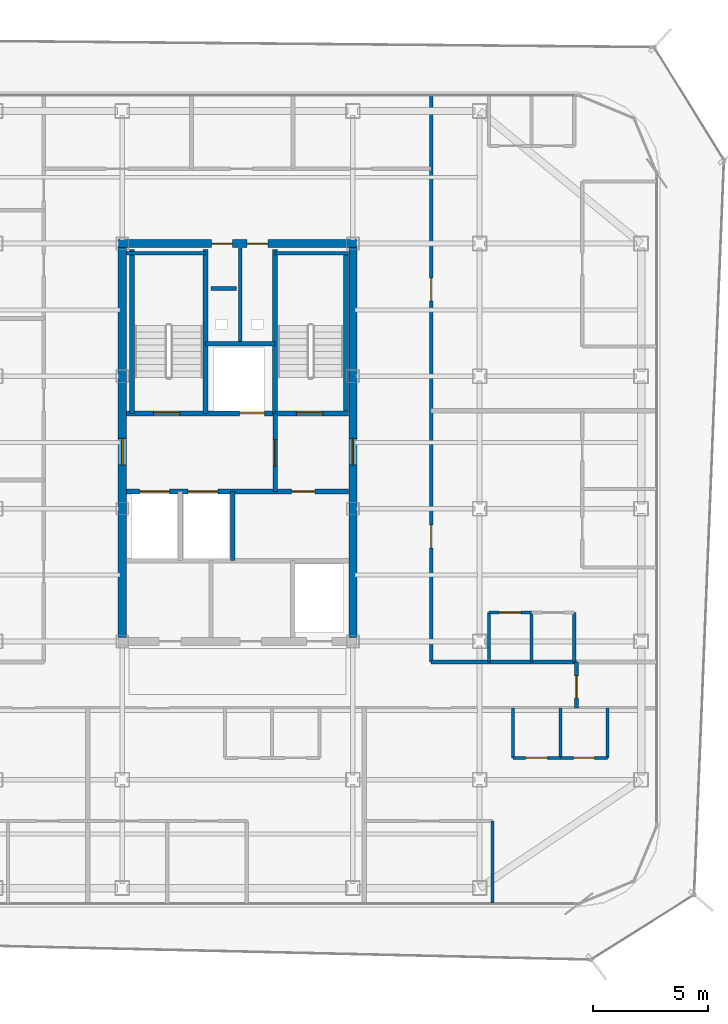
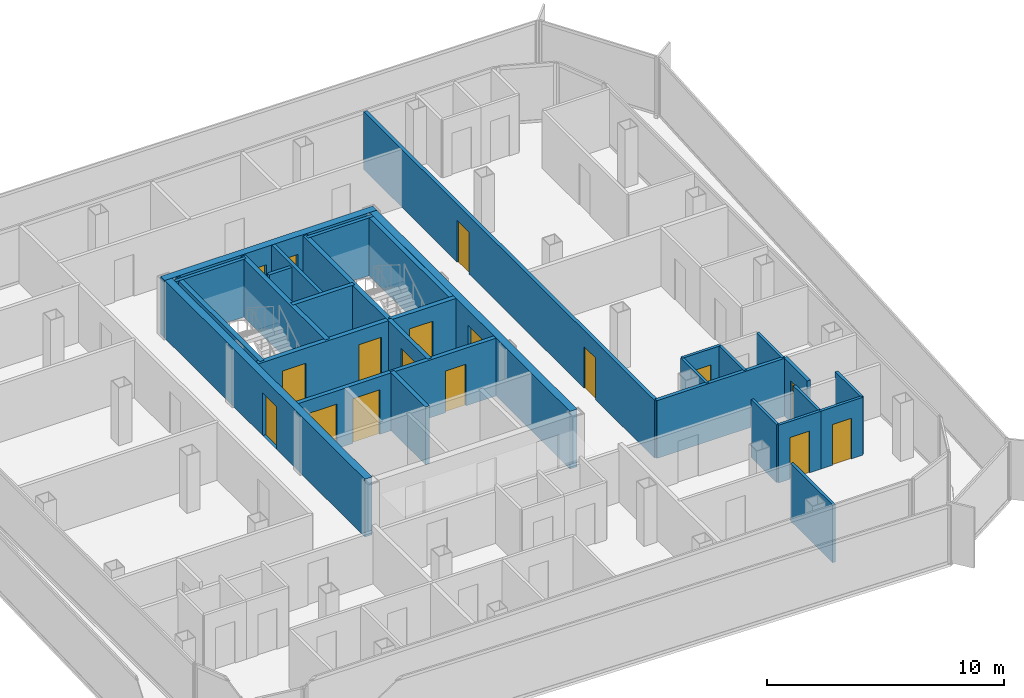
# One storey, part 11 of 15: 30 walls, 17 doors, 17 openings.
"""IFC4 building model written with IfcOpenShell, lengths in metres."""

from ifc_helpers import new_model, si_unit, direction, frame, frame_2d, origin, place, context, subcontext, project, spatial, rectangle, extrude, material, layer, layer_set, type_object, element, fill, save


model = new_model("IFC4")

# Units and contexts
model_context = context("Model", 3, precision=1e-05, world=origin(), true_north=direction((0.0, 1.0)))
body_context = subcontext(model_context, "Body", "Model", "MODEL_VIEW")
ifc_project = project(units=[si_unit("LENGTHUNIT", "METRE"), si_unit("AREAUNIT", "SQUARE_METRE"), si_unit("VOLUMEUNIT", "CUBIC_METRE"), si_unit("PLANEANGLEUNIT", "RADIAN"), si_unit("MASSUNIT", "GRAM", prefix="KILO")], contexts=[model_context])

# Site, building, storey
site_placement = place(None, origin())
site = spatial("IfcSite", under=ifc_project, at=site_placement, CompositionType="ELEMENT")
building_placement = place(site_placement, origin())
building = spatial("IfcBuilding", under=site, at=building_placement, Name="Kolveth Station Tower", CompositionType="ELEMENT")
storey_placement = place(building_placement, frame((0.0, 0.0, 255.300048828125)))
storey = spatial("IfcBuildingStorey", under=building, at=storey_placement, Name="L73", CompositionType="ELEMENT", Elevation=255.300048828125)

# Wall, openings, doors
ifc_material_1 = material(Name="Concrete C50/60", Category="concrete")
ifc_layer_1 = layer(ifc_material_1, 0.35009765625)
ifc_layer_set_1 = layer_set([ifc_layer_1], Name="Concrete C50/60")
wall_type_1 = type_object("IfcWallType", Name="Wall_CW-350", PredefinedType="SHEAR", material=ifc_layer_set_1)
wall_1_placement = place(storey_placement, frame((18.324951171875, 28.75, 0.0), z_axis=(0.0, 0.0, 1.0), x_axis=(1.0, 0.0, 0.0)))
wall_1 = element("IfcWall", 1, at=wall_1_placement, inside=storey, type_object=wall_type_1, Name="L73 Core RC Shear Wall N", PredefinedType="SHEAR", context=body_context, shape_type="SweptSolid", body=[
    extrude(rectangle(XDim=10.35009765625, YDim=0.35009765625, at=frame_2d((5.175048828125, 0.0))), origin(), (0.0, 0.0, 1.0), 2.97998046875),
])
opening_1_placement = place(wall_1_placement, frame((4.054931640625, 0.0, 0.0)))
opening_1 = element("IfcOpeningElement", 2, at=opening_1_placement, cuts=wall_1, Name="Opening RD1", PredefinedType="OPENING", context=body_context, shape_type="SweptSolid", body=[
    extrude(rectangle(XDim=0.89990234375, YDim=2.050048828125, at=frame_2d((0.449951171875, 1.02490234375))), frame((0.0, 0.18505859375, 0.0), z_axis=(0.0, -1.0, 0.0), x_axis=(1.0, 0.0, 0.0)), (0.0, 0.0, 1.0), 0.3701171875),
])
opening_2_placement = place(wall_1_placement, frame((5.594970703125, 0.0, 0.0)))
opening_2 = element("IfcOpeningElement", 3, at=opening_2_placement, cuts=wall_1, Name="Opening RD1", PredefinedType="OPENING", context=body_context, shape_type="SweptSolid", body=[
    extrude(rectangle(XDim=0.89990234375, YDim=2.050048828125, at=frame_2d((0.449951171875, 1.02490234375))), frame((0.0, 0.18505859375, 0.0), z_axis=(0.0, -1.0, 0.0), x_axis=(1.0, 0.0, 0.0)), (0.0, 0.0, 1.0), 0.3701171875),
])
ifc_material_2 = material(Name="Fire-rated Steel S355 riser access leaf", Category="steel")
door_type_1 = type_object("IfcDoorType", Name="Door_RD1", OperationType="NOTDEFINED", PredefinedType="DOOR", material=ifc_material_2)
door_1_placement = place(opening_1_placement, origin())
door_1 = element("IfcDoor", 4, at=door_1_placement, inside=storey, type_object=door_type_1, Name="L73 Electrical Riser Access Door", OperationType="SINGLE_SWING_LEFT", OverallHeight=2.050048828125, OverallWidth=0.89990234375, PredefinedType="DOOR", context=body_context, shape_type="SweptSolid", body=[
    extrude(rectangle(XDim=0.89990234375, YDim=2.050048828125, at=frame_2d((0.449951171875, 1.02490234375))), frame((0.0, 0.02490234375, 0.0), z_axis=(0.0, -1.0, 0.0), x_axis=(1.0, 0.0, 0.0)), (0.0, 0.0, 1.0), 0.050048828125),
])
fill(opening_1, door_1)
door_2_placement = place(opening_2_placement, origin())
door_2 = element("IfcDoor", 5, at=door_2_placement, inside=storey, type_object=door_type_1, Name="L73 Smoke Duct Access Door", OperationType="SINGLE_SWING_LEFT", OverallHeight=2.050048828125, OverallWidth=0.89990234375, PredefinedType="DOOR", context=body_context, shape_type="SweptSolid", body=[
    extrude(rectangle(XDim=0.89990234375, YDim=2.050048828125, at=frame_2d((0.449951171875, 1.02490234375))), frame((0.0, 0.02490234375, 0.0), z_axis=(0.0, -1.0, 0.0), x_axis=(1.0, 0.0, 0.0)), (0.0, 0.0, 1.0), 0.050048828125),
])
fill(opening_2, door_2)

# Wall, opening, door
wall_2_placement = place(storey_placement, frame((18.5, 11.675048828125, 0.0), z_axis=(0.0, 0.0, 1.0), x_axis=(0.0, 1.0, 0.0)))
wall_2 = element("IfcWall", 6, at=wall_2_placement, inside=storey, type_object=wall_type_1, Name="L73 Core RC Shear Wall W", PredefinedType="SHEAR", context=body_context, shape_type="SweptSolid", body=[
    extrude(rectangle(XDim=16.89990234375, YDim=0.35009765625, at=frame_2d((8.449951171875, 0.0))), origin(), (0.0, 0.0, 1.0), 2.97998046875),
])
opening_3_placement = place(wall_2_placement, frame((7.47509765625, 0.0, 0.0)))
opening_3 = element("IfcOpeningElement", 7, at=opening_3_placement, cuts=wall_2, Name="Opening FD1", PredefinedType="OPENING", context=body_context, shape_type="SweptSolid", body=[
    extrude(rectangle(XDim=1.14990234375, YDim=2.199951171875, at=frame_2d((0.574951171875, 1.10009765625))), frame((0.0, 0.18505859375, 0.0), z_axis=(0.0, -1.0, 0.0), x_axis=(1.0, 0.0, 0.0)), (0.0, 0.0, 1.0), 0.3701171875),
])
ifc_material_3 = material(Name="Fire-rated Steel S355 leaf and frame", Category="steel")
door_type_2 = type_object("IfcDoorType", Name="Door_FD1", OperationType="NOTDEFINED", PredefinedType="DOOR", material=ifc_material_3)
door_3_placement = place(opening_3_placement, frame((1.14990234375, 0.0, 0.0), z_axis=(0.0, 0.0, 1.0), x_axis=(-1.0, 0.0, 0.0)))
door_3 = element("IfcDoor", 8, at=door_3_placement, inside=storey, type_object=door_type_2, Name="L73 West Corridor to Firefighting Lobby Door", OperationType="SINGLE_SWING_RIGHT", OverallHeight=2.199951171875, OverallWidth=1.14990234375, PredefinedType="DOOR", context=body_context, shape_type="SweptSolid", body=[
    extrude(rectangle(XDim=1.14990234375, YDim=2.199951171875, at=frame_2d((0.574951171875, 1.10009765625))), frame((0.0, 0.02490234375, 0.0), z_axis=(0.0, -1.0, 0.0), x_axis=(1.0, 0.0, 0.0)), (0.0, 0.0, 1.0), 0.050048828125),
])
fill(opening_3, door_3)

wall_3_placement = place(storey_placement, frame((28.5, 11.675048828125, 0.0), z_axis=(0.0, 0.0, 1.0), x_axis=(0.0, 1.0, 0.0)))
wall_3 = element("IfcWall", 9, at=wall_3_placement, inside=storey, type_object=wall_type_1, Name="L73 Core RC Shear Wall E", PredefinedType="SHEAR", context=body_context, shape_type="SweptSolid", body=[
    extrude(rectangle(XDim=16.89990234375, YDim=0.35009765625, at=frame_2d((8.449951171875, 0.0))), origin(), (0.0, 0.0, 1.0), 2.97998046875),
])
opening_4_placement = place(wall_3_placement, frame((7.47509765625, 0.0, 0.0)))
opening_4 = element("IfcOpeningElement", 10, at=opening_4_placement, cuts=wall_3, Name="Opening FD1", PredefinedType="OPENING", context=body_context, shape_type="SweptSolid", body=[
    extrude(rectangle(XDim=1.14990234375, YDim=2.199951171875, at=frame_2d((0.574951171875, 1.10009765625))), frame((0.0, 0.18505859375, 0.0), z_axis=(0.0, -1.0, 0.0), x_axis=(1.0, 0.0, 0.0)), (0.0, 0.0, 1.0), 0.3701171875),
])
door_4_placement = place(opening_4_placement, origin())
door_4 = element("IfcDoor", 11, at=door_4_placement, inside=storey, type_object=door_type_2, Name="L73 East Corridor to Stair Lobby Door", OperationType="SINGLE_SWING_LEFT", OverallHeight=2.199951171875, OverallWidth=1.14990234375, PredefinedType="DOOR", context=body_context, shape_type="SweptSolid", body=[
    extrude(rectangle(XDim=1.14990234375, YDim=2.199951171875, at=frame_2d((0.574951171875, 1.10009765625))), frame((0.0, 0.02490234375, 0.0), z_axis=(0.0, -1.0, 0.0), x_axis=(1.0, 0.0, 0.0)), (0.0, 0.0, 1.0), 0.050048828125),
])
fill(opening_4, door_4)

ifc_material_4 = material(Name="Moisture-resistant gypsum partition")
ifc_layer_2 = layer(ifc_material_4, 0.135009765625)
ifc_layer_set_2 = layer_set([ifc_layer_2], Name="Moisture-resistant gypsum partition")
wall_type_2 = type_object("IfcWallType", Name="Wall_IW-135", PredefinedType="PARTITIONING", material=ifc_layer_set_2)
wall_4_placement = place(storey_placement, frame((35.449951171875, 6.449951171875, 0.0), z_axis=(0.0, 0.0, 1.0), x_axis=(1.0, 0.0, 0.0)))
wall_4 = element("IfcWall", 12, at=wall_4_placement, inside=storey, type_object=wall_type_2, Name="L73 Partition Wall WL-L73-A3-IBHK", PredefinedType="PARTITIONING", context=body_context, shape_type="SweptSolid", body=[
    extrude(rectangle(XDim=2.050048828125, YDim=0.135009765625, at=frame_2d((1.02490234375, 0.0))), origin(), (0.0, 0.0, 1.0), 2.97998046875),
])
opening_5_placement = place(wall_4_placement, frame((0.544921875, 0.0, 0.0)))
opening_5 = element("IfcOpeningElement", 13, at=opening_5_placement, cuts=wall_4, Name="Opening ID1", PredefinedType="OPENING", context=body_context, shape_type="SweptSolid", body=[
    extrude(rectangle(XDim=0.949951171875, YDim=2.14990234375, at=frame_2d((0.47509765625, 1.074951171875))), frame((0.0, 0.077392578125, 0.0), z_axis=(0.0, -1.0, 0.0), x_axis=(1.0, 0.0, 0.0)), (0.0, 0.0, 1.0), 0.155029296875),
])
ifc_material_5 = material(Name="Acoustic hardwood leaf and aluminium frame", Category="wood")
door_type_3 = type_object("IfcDoorType", Name="Door_ID1", OperationType="NOTDEFINED", PredefinedType="DOOR", material=ifc_material_5)
door_5_placement = place(opening_5_placement, origin())
door_5 = element("IfcDoor", 14, at=door_5_placement, inside=storey, type_object=door_type_3, Name="Penthouse Flat L73-A3 Kitchen Door", OperationType="SINGLE_SWING_RIGHT", OverallHeight=2.14990234375, OverallWidth=0.949951171875, PredefinedType="DOOR", context=body_context, shape_type="SweptSolid", body=[
    extrude(rectangle(XDim=0.949951171875, YDim=2.14990234375, at=frame_2d((0.47509765625, 1.074951171875))), frame((0.0, 0.02490234375, 0.0), z_axis=(0.0, -1.0, 0.0), x_axis=(1.0, 0.0, 0.0)), (0.0, 0.0, 1.0), 0.050048828125),
])
fill(opening_5, door_5)

wall_5_placement = place(storey_placement, frame((37.5, 6.449951171875, 0.0), z_axis=(0.0, 0.0, 1.0), x_axis=(1.0, 0.0, 0.0)))
wall_5 = element("IfcWall", 15, at=wall_5_placement, inside=storey, type_object=wall_type_2, Name="L73 Partition Wall WL-L73-A3-IBHB", PredefinedType="PARTITIONING", context=body_context, shape_type="SweptSolid", body=[
    extrude(rectangle(XDim=2.050048828125, YDim=0.135009765625, at=frame_2d((1.02490234375, 0.0))), origin(), (0.0, 0.0, 1.0), 2.97998046875),
])
opening_6_placement = place(wall_5_placement, frame((0.56494140625, 0.0, 0.0)))
opening_6 = element("IfcOpeningElement", 16, at=opening_6_placement, cuts=wall_5, Name="Opening ID2", PredefinedType="OPENING", context=body_context, shape_type="SweptSolid", body=[
    extrude(rectangle(XDim=0.919921875, YDim=2.10009765625, at=frame_2d((0.4599609375, 1.050048828125))), frame((0.0, 0.077392578125, 0.0), z_axis=(0.0, -1.0, 0.0), x_axis=(1.0, 0.0, 0.0)), (0.0, 0.0, 1.0), 0.155029296875),
])
ifc_material_6 = material(Name="Moisture-resistant hardwood leaf", Category="wood")
door_type_4 = type_object("IfcDoorType", Name="Door_ID2", OperationType="NOTDEFINED", PredefinedType="DOOR", material=ifc_material_6)
door_6_placement = place(opening_6_placement, origin())
door_6 = element("IfcDoor", 17, at=door_6_placement, inside=storey, type_object=door_type_4, Name="Penthouse Flat L73-A3 Bathroom Door", OperationType="SINGLE_SWING_LEFT", OverallHeight=2.10009765625, OverallWidth=0.919921875, PredefinedType="DOOR", context=body_context, shape_type="SweptSolid", body=[
    extrude(rectangle(XDim=0.919921875, YDim=2.10009765625, at=frame_2d((0.4599609375, 1.050048828125))), frame((0.0, 0.02490234375, 0.0), z_axis=(0.0, -1.0, 0.0), x_axis=(1.0, 0.0, 0.0)), (0.0, 0.0, 1.0), 0.050048828125),
])
fill(opening_6, door_6)

# Walls
for number, where, z_axis, x_axis, name in (
    (18, (35.449951171875, 6.449951171875, 0.0), (0.0, 0.0, 1.0), (0.0, 1.0, 0.0), "L73 Partition Wall WL-L73-A3-IBV0"),
    (19, (37.5, 6.449951171875, 0.0), (0.0, 0.0, 1.0), (0.0, 1.0, 0.0), "L73 Partition Wall WL-L73-A3-IBV1"),
    (20, (39.550048828125, 6.449951171875, 0.0), (0.0, 0.0, 1.0), (0.0, 1.0, 0.0), "L73 Partition Wall WL-L73-A3-IBV2"),
):
    element("IfcWall", number, at=place(storey_placement, frame(where, z_axis=z_axis, x_axis=x_axis)), inside=storey, type_object=wall_type_2, Name=name, PredefinedType="PARTITIONING", context=body_context, shape_type="SweptSolid", body=[
        extrude(rectangle(XDim=2.150146484375, YDim=0.135009765625, at=frame_2d((1.0751953125, 0.0))), origin(), (0.0, 0.0, 1.0), 2.97998046875),
    ])
wall_6_placement = place(storey_placement, frame((34.549072265625, 0.159912109375, 0.0), z_axis=(0.0, 0.0, 1.0), x_axis=(0.0, 1.0, 0.0)))
element("IfcWall", 21, at=wall_6_placement, inside=storey, type_object=wall_type_2, Name="L73 Partition Wall WL-L73-A3-BDVE", PredefinedType="PARTITIONING", context=body_context, shape_type="SweptSolid", body=[
    extrude(rectangle(XDim=3.550048828125, YDim=0.135009765625, at=frame_2d((1.77490234375, 0.0))), origin(), (0.0, 0.0, 1.0), 2.97998046875),
])

# Wall, opening, door
wall_7_placement = place(storey_placement, frame((34.39990234375, 12.75, 0.0), z_axis=(0.0, 0.0, 1.0), x_axis=(1.0, 0.0, 0.0)))
wall_7 = element("IfcWall", 22, at=wall_7_placement, inside=storey, type_object=wall_type_2, Name="L73 Partition Wall WL-L73-E1-IBHK", PredefinedType="PARTITIONING", context=body_context, shape_type="SweptSolid", body=[
    extrude(rectangle(XDim=1.85009765625, YDim=0.135009765625, at=frame_2d((0.925048828125, 0.0))), origin(), (0.0, 0.0, 1.0), 2.97998046875),
])
opening_7_placement = place(wall_7_placement, frame((0.445068359375, 0.0, 0.0)))
opening_7 = element("IfcOpeningElement", 23, at=opening_7_placement, cuts=wall_7, Name="Opening ID1", PredefinedType="OPENING", context=body_context, shape_type="SweptSolid", body=[
    extrude(rectangle(XDim=0.949951171875, YDim=2.14990234375, at=frame_2d((0.47509765625, 1.074951171875))), frame((0.0, 0.077392578125, 0.0), z_axis=(0.0, -1.0, 0.0), x_axis=(1.0, 0.0, 0.0)), (0.0, 0.0, 1.0), 0.155029296875),
])
door_7_placement = place(opening_7_placement, origin())
door_7 = element("IfcDoor", 24, at=door_7_placement, inside=storey, type_object=door_type_3, Name="Penthouse Flat L73-E1 Kitchen Door", OperationType="SINGLE_SWING_RIGHT", OverallHeight=2.14990234375, OverallWidth=0.949951171875, PredefinedType="DOOR", context=body_context, shape_type="SweptSolid", body=[
    extrude(rectangle(XDim=0.949951171875, YDim=2.14990234375, at=frame_2d((0.47509765625, 1.074951171875))), frame((0.0, 0.02490234375, 0.0), z_axis=(0.0, -1.0, 0.0), x_axis=(1.0, 0.0, 0.0)), (0.0, 0.0, 1.0), 0.050048828125),
])
fill(opening_7, door_7)

# Walls
for number, where, z_axis, x_axis, name in (
    (25, (34.39990234375, 10.60009765625, 0.0), (0.0, 0.0, 1.0), (0.0, 1.0, 0.0), "L73 Partition Wall WL-L73-E1-IBV0"),
    (26, (36.25, 10.60009765625, 0.0), (0.0, 0.0, 1.0), (0.0, 1.0, 0.0), "L73 Partition Wall WL-L73-E1-IBV1"),
    (27, (38.10009765625, 10.60009765625, 0.0), (0.0, 0.0, 1.0), (0.0, 1.0, 0.0), "L73 Partition Wall WL-L73-E1-IBV2"),
):
    element("IfcWall", number, at=place(storey_placement, frame(where, z_axis=z_axis, x_axis=x_axis)), inside=storey, type_object=wall_type_2, Name=name, PredefinedType="PARTITIONING", context=body_context, shape_type="SweptSolid", body=[
        extrude(rectangle(XDim=2.14990234375, YDim=0.135009765625, at=frame_2d((1.074951171875, 0.0))), origin(), (0.0, 0.0, 1.0), 2.97998046875),
    ])
ifc_material_7 = material(Name="Acoustic double-stud gypsum partition")
ifc_layer_3 = layer(ifc_material_7, 0.1650390625)
ifc_layer_set_3 = layer_set([ifc_layer_3], Name="Acoustic double-stud gypsum partition")
wall_type_3 = type_object("IfcWallType", Name="Wall_IW-165", PredefinedType="PARTITIONING", material=ifc_layer_set_3)
wall_8_placement = place(storey_placement, frame((18.68505859375, 28.3349609375, 0.0), z_axis=(0.0, 0.0, 1.0), x_axis=(1.0, 0.0, 0.0)))
element("IfcWall", 28, at=wall_8_placement, inside=storey, type_object=wall_type_3, Name="L73 Stair Shaft Wall WL-L73-ST1-N", PredefinedType="PARTITIONING", context=body_context, shape_type="SweptSolid", body=[
    extrude(rectangle(XDim=3.425048828125, YDim=0.1650390625, at=frame_2d((1.71240234375, 0.0))), origin(), (0.0, 0.0, 1.0), 2.97998046875),
])
wall_9_placement = place(storey_placement, frame((25.1298828125, 28.3349609375, 0.0), z_axis=(0.0, 0.0, 1.0), x_axis=(1.0, 0.0, 0.0)))
element("IfcWall", 29, at=wall_9_placement, inside=storey, type_object=wall_type_3, Name="L73 Stair Shaft Wall WL-L73-ST2-N", PredefinedType="PARTITIONING", context=body_context, shape_type="SweptSolid", body=[
    extrude(rectangle(XDim=3.18505859375, YDim=0.1650390625, at=frame_2d((1.592529296875, 0.0))), origin(), (0.0, 0.0, 1.0), 2.97998046875),
])
wall_10_placement = place(storey_placement, frame((23.6201171875, 24.39990234375, 0.0), z_axis=(0.0, 0.0, 1.0), x_axis=(0.0, 1.0, 0.0)))
element("IfcWall", 30, at=wall_10_placement, inside=storey, type_object=wall_type_3, Name="L73 Partition Wall WL-L73-RSR-M", PredefinedType="PARTITIONING", context=body_context, shape_type="SweptSolid", body=[
    extrude(rectangle(XDim=4.1650390625, YDim=0.1650390625, at=frame_2d((2.08251953125, 0.0))), origin(), (0.0, 0.0, 1.0), 2.97998046875),
])
wall_11_placement = place(storey_placement, frame((31.89990234375, 10.60009765625, 0.0), z_axis=(0.0, 0.0, 1.0), x_axis=(1.0, 0.0, 0.0)))
element("IfcWall", 31, at=wall_11_placement, inside=storey, type_object=wall_type_3, Name="L73 Partition Wall WL-L73-RSET", PredefinedType="PARTITIONING", context=body_context, shape_type="SweptSolid", body=[
    extrude(rectangle(XDim=6.300048828125, YDim=0.1650390625, at=frame_2d((3.14990234375, 0.0))), origin(), (0.0, 0.0, 1.0), 2.97998046875),
])

# Wall, opening, door
wall_12_placement = place(storey_placement, frame((38.199951171875, 8.60009765625, 0.0), z_axis=(0.0, 0.0, 1.0), x_axis=(0.0, 1.0, 0.0)))
wall_12 = element("IfcWall", 32, at=wall_12_placement, inside=storey, type_object=wall_type_3, Name="L73 Partition Wall WL-L73-RSEE", PredefinedType="PARTITIONING", context=body_context, shape_type="SweptSolid", body=[
    extrude(rectangle(XDim=2.0, YDim=0.1650390625, at=frame_2d((1.0, 0.0))), origin(), (0.0, 0.0, 1.0), 2.97998046875),
])
opening_8_placement = place(wall_12_placement, frame((0.449951171875, 0.0, 0.0)))
opening_8 = element("IfcOpeningElement", 33, at=opening_8_placement, cuts=wall_12, Name="Opening ID1", PredefinedType="OPENING", context=body_context, shape_type="SweptSolid", body=[
    extrude(rectangle(XDim=0.949951171875, YDim=2.14990234375, at=frame_2d((0.47509765625, 1.074951171875))), frame((0.0, 0.092529296875, 0.0), z_axis=(0.0, -1.0, 0.0), x_axis=(1.0, 0.0, 0.0)), (0.0, 0.0, 1.0), 0.18505859375),
])
door_8_placement = place(opening_8_placement, origin())
door_8 = element("IfcDoor", 34, at=door_8_placement, inside=storey, type_object=door_type_3, Name="L73 Hobby Study Door", OperationType="SINGLE_SWING_LEFT", OverallHeight=2.14990234375, OverallWidth=0.949951171875, PredefinedType="DOOR", context=body_context, shape_type="SweptSolid", body=[
    extrude(rectangle(XDim=0.949951171875, YDim=2.14990234375, at=frame_2d((0.47509765625, 1.074951171875))), frame((0.0, 0.02490234375, 0.0), z_axis=(0.0, -1.0, 0.0), x_axis=(1.0, 0.0, 0.0)), (0.0, 0.0, 1.0), 0.050048828125),
])
fill(opening_8, door_8)

# Wall, openings, doors
wall_13_placement = place(storey_placement, frame((31.89990234375, 10.60009765625, 0.0), z_axis=(0.0, 0.0, 1.0), x_axis=(0.0, 1.0, 0.0)))
wall_13 = element("IfcWall", 35, at=wall_13_placement, inside=storey, type_object=wall_type_3, Name="L73 Partition Wall WL-L73-RE", PredefinedType="PARTITIONING", context=body_context, shape_type="SweptSolid", body=[
    extrude(rectangle(XDim=24.539794921875, YDim=0.1650390625, at=frame_2d((12.27001953125, 0.0))), origin(), (0.0, 0.0, 1.0), 2.97998046875),
])
opening_9_placement = place(wall_13_placement, frame((4.949951171875, 0.0, 0.0)))
opening_9 = element("IfcOpeningElement", 36, at=opening_9_placement, cuts=wall_13, Name="Opening FD3", PredefinedType="OPENING", context=body_context, shape_type="SweptSolid", body=[
    extrude(rectangle(XDim=1.0, YDim=2.14990234375, at=frame_2d((0.5, 1.074951171875))), frame((0.0, 0.092529296875, 0.0), z_axis=(0.0, -1.0, 0.0), x_axis=(1.0, 0.0, 0.0)), (0.0, 0.0, 1.0), 0.18505859375),
])
opening_10_placement = place(wall_13_placement, frame((15.64990234375, 0.0, 0.0)))
opening_10 = element("IfcOpeningElement", 37, at=opening_10_placement, cuts=wall_13, Name="Opening FD3", PredefinedType="OPENING", context=body_context, shape_type="SweptSolid", body=[
    extrude(rectangle(XDim=1.0, YDim=2.14990234375, at=frame_2d((0.5, 1.074951171875))), frame((0.0, 0.092529296875, 0.0), z_axis=(0.0, -1.0, 0.0), x_axis=(1.0, 0.0, 0.0)), (0.0, 0.0, 1.0), 0.18505859375),
])
ifc_material_8 = material(Name="Fire-rated hardwood leaf and aluminium frame", Category="wood")
door_type_5 = type_object("IfcDoorType", Name="Door_FD3", OperationType="NOTDEFINED", PredefinedType="DOOR", material=ifc_material_8)
door_9_placement = place(opening_9_placement, frame((1.0, 0.0, 0.0), z_axis=(0.0, 0.0, 1.0), x_axis=(-1.0, 0.0, 0.0)))
door_9 = element("IfcDoor", 38, at=door_9_placement, inside=storey, type_object=door_type_5, Name="Penthouse Flat L73-E1 Entrance Door", OperationType="SINGLE_SWING_RIGHT", OverallHeight=2.14990234375, OverallWidth=1.0, PredefinedType="DOOR", context=body_context, shape_type="SweptSolid", body=[
    extrude(rectangle(XDim=1.0, YDim=2.14990234375, at=frame_2d((0.5, 1.074951171875))), frame((0.0, 0.02490234375, 0.0), z_axis=(0.0, -1.0, 0.0), x_axis=(1.0, 0.0, 0.0)), (0.0, 0.0, 1.0), 0.050048828125),
])
fill(opening_9, door_9)
door_10_placement = place(opening_10_placement, frame((1.0, 0.0, 0.0), z_axis=(0.0, 0.0, 1.0), x_axis=(-1.0, 0.0, 0.0)))
door_10 = element("IfcDoor", 39, at=door_10_placement, inside=storey, type_object=door_type_5, Name="Penthouse Flat L73-E2 Entrance Door", OperationType="SINGLE_SWING_RIGHT", OverallHeight=2.14990234375, OverallWidth=1.0, PredefinedType="DOOR", context=body_context, shape_type="SweptSolid", body=[
    extrude(rectangle(XDim=1.0, YDim=2.14990234375, at=frame_2d((0.5, 1.074951171875))), frame((0.0, 0.02490234375, 0.0), z_axis=(0.0, -1.0, 0.0), x_axis=(1.0, 0.0, 0.0)), (0.0, 0.0, 1.0), 0.050048828125),
])
fill(opening_10, door_10)

# Walls
wall_14_placement = place(storey_placement, frame((22.35009765625, 26.800048828125, 0.0), z_axis=(0.0, 0.0, 1.0), x_axis=(1.0, 0.0, 0.0)))
element("IfcWall", 40, at=wall_14_placement, inside=storey, type_object=wall_type_3, Name="L73 Acoustic Riser Dry-Lining Wall", PredefinedType="PARTITIONING", context=body_context, shape_type="SweptSolid", body=[
    extrude(rectangle(XDim=1.099853515625, YDim=0.1650390625, at=frame_2d((0.5498046875, 0.0))), origin(), (0.0, 0.0, 1.0), 2.97998046875),
])
ifc_material_9 = material(Name="Acoustic fire-rated gypsum blockwork", Category="masonry")
ifc_layer_4 = layer(ifc_material_9, 0.199951171875)
ifc_layer_set_4 = layer_set([ifc_layer_4], Name="Acoustic fire-rated gypsum blockwork")
wall_type_4 = type_object("IfcWallType", Name="Wall_IW-200", PredefinedType="PARTITIONING", material=ifc_layer_set_4)
wall_15_placement = place(storey_placement, frame((22.110107421875, 24.39990234375, 0.0), z_axis=(0.0, 0.0, 1.0), x_axis=(1.0, 0.0, 0.0)))
element("IfcWall", 41, at=wall_15_placement, inside=storey, type_object=wall_type_4, Name="L73 Partition Wall WL-L73-RSR-S", PredefinedType="PARTITIONING", context=body_context, shape_type="SweptSolid", body=[
    extrude(rectangle(XDim=3.019775390625, YDim=0.199951171875, at=frame_2d((1.509765625, 0.0))), origin(), (0.0, 0.0, 1.0), 2.97998046875),
])

# Wall, opening, door
wall_16_placement = place(storey_placement, frame((25.1298828125, 18.0, 0.0), z_axis=(0.0, 0.0, 1.0), x_axis=(0.0, 1.0, 0.0)))
wall_16 = element("IfcWall", 42, at=wall_16_placement, inside=storey, type_object=wall_type_4, Name="L73 Partition Wall WL-L73-FFL-E", PredefinedType="PARTITIONING", context=body_context, shape_type="SweptSolid", body=[
    extrude(rectangle(XDim=3.389892578125, YDim=0.199951171875, at=frame_2d((1.69482421875, 0.0))), origin(), (0.0, 0.0, 1.0), 2.97998046875),
])
opening_11_placement = place(wall_16_placement, frame((1.10009765625, 0.0, 0.0)))
opening_11 = element("IfcOpeningElement", 43, at=opening_11_placement, cuts=wall_16, Name="Opening FD1", PredefinedType="OPENING", context=body_context, shape_type="SweptSolid", body=[
    extrude(rectangle(XDim=1.14990234375, YDim=2.199951171875, at=frame_2d((0.574951171875, 1.10009765625))), frame((0.0, 0.10986328125, 0.0), z_axis=(0.0, -1.0, 0.0), x_axis=(1.0, 0.0, 0.0)), (0.0, 0.0, 1.0), 0.219970703125),
])
door_11_placement = place(opening_11_placement, origin())
door_11 = element("IfcDoor", 44, at=door_11_placement, inside=storey, type_object=door_type_2, Name="L73 Firefighting to Stair Lobby Door", OperationType="SINGLE_SWING_RIGHT", OverallHeight=2.199951171875, OverallWidth=1.14990234375, PredefinedType="DOOR", context=body_context, shape_type="SweptSolid", body=[
    extrude(rectangle(XDim=1.14990234375, YDim=2.199951171875, at=frame_2d((0.574951171875, 1.10009765625))), frame((0.0, 0.02490234375, 0.0), z_axis=(0.0, -1.0, 0.0), x_axis=(1.0, 0.0, 0.0)), (0.0, 0.0, 1.0), 0.050048828125),
])
fill(opening_11, door_11)

# Wall, openings, doors
wall_17_placement = place(storey_placement, frame((18.68505859375, 18.0, 0.0), z_axis=(0.0, 0.0, 1.0), x_axis=(1.0, 0.0, 0.0)))
wall_17 = element("IfcWall", 45, at=wall_17_placement, inside=storey, type_object=wall_type_4, Name="L73 Partition Wall WL-L73-FFL-S", PredefinedType="PARTITIONING", context=body_context, shape_type="SweptSolid", body=[
    extrude(rectangle(XDim=9.6298828125, YDim=0.199951171875, at=frame_2d((4.81494140625, 0.0))), origin(), (0.0, 0.0, 1.0), 2.97998046875),
])
opening_12_placement = place(wall_17_placement, frame((0.56494140625, 0.0, 0.0)))
opening_12 = element("IfcOpeningElement", 46, at=opening_12_placement, cuts=wall_17, Name="Opening LD2", PredefinedType="OPENING", context=body_context, shape_type="SweptSolid", body=[
    extrude(rectangle(XDim=1.300048828125, YDim=2.300048828125, at=frame_2d((0.64990234375, 1.14990234375))), frame((0.0, 0.10986328125, 0.0), z_axis=(0.0, -1.0, 0.0), x_axis=(1.0, 0.0, 0.0)), (0.0, 0.0, 1.0), 0.219970703125),
])
opening_13_placement = place(wall_17_placement, frame((2.6650390625, 0.0, 0.0)))
opening_13 = element("IfcOpeningElement", 47, at=opening_13_placement, cuts=wall_17, Name="Opening LD2", PredefinedType="OPENING", context=body_context, shape_type="SweptSolid", body=[
    extrude(rectangle(XDim=1.300048828125, YDim=2.300048828125, at=frame_2d((0.64990234375, 1.14990234375))), frame((0.0, 0.10986328125, 0.0), z_axis=(0.0, -1.0, 0.0), x_axis=(1.0, 0.0, 0.0)), (0.0, 0.0, 1.0), 0.219970703125),
])
opening_14_placement = place(wall_17_placement, frame((7.1650390625, 0.0, 0.0)))
opening_14 = element("IfcOpeningElement", 48, at=opening_14_placement, cuts=wall_17, Name="Opening FD3", PredefinedType="OPENING", context=body_context, shape_type="SweptSolid", body=[
    extrude(rectangle(XDim=1.0, YDim=2.14990234375, at=frame_2d((0.5, 1.074951171875))), frame((0.0, 0.10986328125, 0.0), z_axis=(0.0, -1.0, 0.0), x_axis=(1.0, 0.0, 0.0)), (0.0, 0.0, 1.0), 0.219970703125),
])
door_12_placement = place(opening_14_placement, frame((1.0, 0.0, 0.0), z_axis=(0.0, 0.0, 1.0), x_axis=(-1.0, 0.0, 0.0)))
door_12 = element("IfcDoor", 49, at=door_12_placement, inside=storey, type_object=door_type_5, Name="L73 Core Staff Pantry Door", OperationType="SINGLE_SWING_LEFT", OverallHeight=2.14990234375, OverallWidth=1.0, PredefinedType="DOOR", context=body_context, shape_type="SweptSolid", body=[
    extrude(rectangle(XDim=1.0, YDim=2.14990234375, at=frame_2d((0.5, 1.074951171875))), frame((0.0, 0.02490234375, 0.0), z_axis=(0.0, -1.0, 0.0), x_axis=(1.0, 0.0, 0.0)), (0.0, 0.0, 1.0), 0.050048828125),
])
fill(opening_14, door_12)
ifc_material_10 = material(Name="Firefighting stainless steel sliding landing doors", Category="steel")
door_type_6 = type_object("IfcDoorType", Name="Door_LD2", OperationType="NOTDEFINED", PredefinedType="DOOR", material=ifc_material_10)
door_13_placement = place(opening_12_placement, origin())
door_13 = element("IfcDoor", 50, at=door_13_placement, inside=storey, type_object=door_type_6, Name="L73 Firefighting Lift FF1 Landing Door", OperationType="DOUBLE_DOOR_SLIDING", OverallHeight=2.300048828125, OverallWidth=1.300048828125, PredefinedType="DOOR", context=body_context, shape_type="SweptSolid", body=[
    extrude(rectangle(XDim=1.300048828125, YDim=2.300048828125, at=frame_2d((0.64990234375, 1.14990234375))), frame((0.0, 0.02490234375, 0.0), z_axis=(0.0, -1.0, 0.0), x_axis=(1.0, 0.0, 0.0)), (0.0, 0.0, 1.0), 0.050048828125),
])
fill(opening_12, door_13)
door_14_placement = place(opening_13_placement, origin())
door_14 = element("IfcDoor", 51, at=door_14_placement, inside=storey, type_object=door_type_6, Name="L73 Firefighting Lift FF2 Landing Door", OperationType="DOUBLE_DOOR_SLIDING", OverallHeight=2.300048828125, OverallWidth=1.300048828125, PredefinedType="DOOR", context=body_context, shape_type="SweptSolid", body=[
    extrude(rectangle(XDim=1.300048828125, YDim=2.300048828125, at=frame_2d((0.64990234375, 1.14990234375))), frame((0.0, 0.02490234375, 0.0), z_axis=(0.0, -1.0, 0.0), x_axis=(1.0, 0.0, 0.0)), (0.0, 0.0, 1.0), 0.050048828125),
])
fill(opening_13, door_14)

# Walls
wall_18_placement = place(storey_placement, frame((23.300048828125, 15.0, 0.0), z_axis=(0.0, 0.0, 1.0), x_axis=(0.0, 1.0, 0.0)))
element("IfcWall", 52, at=wall_18_placement, inside=storey, type_object=wall_type_4, Name="L73 Partition Wall WL-L73-FF2E", PredefinedType="PARTITIONING", context=body_context, shape_type="SweptSolid", body=[
    extrude(rectangle(XDim=3.0, YDim=0.199951171875, at=frame_2d((1.5, 0.0))), origin(), (0.0, 0.0, 1.0), 2.97998046875),
])
ifc_material_11 = material(Name="Concrete C40/50", Category="concrete")
ifc_layer_5 = layer(ifc_material_11, 0.219970703125)
ifc_layer_set_5 = layer_set([ifc_layer_5], Name="Concrete C40/50")
wall_type_5 = type_object("IfcWallType", Name="Wall_IW-220", PredefinedType="SOLIDWALL", material=ifc_layer_set_5)
for number, where, z_axis, x_axis, name in (
    (53, (18.929931640625, 21.389892578125, 0.0), (0.0, 0.0, 1.0), (0.0, 1.0, 0.0), "L73 Stair Shaft Wall WL-L73-ST1-W"),
    (54, (22.110107421875, 21.389892578125, 0.0), (0.0, 0.0, 1.0), (0.0, 1.0, 0.0), "L73 Stair Shaft Wall WL-L73-ST1-E"),
    (55, (25.1298828125, 21.389892578125, 0.0), (0.0, 0.0, 1.0), (0.0, 1.0, 0.0), "L73 Stair Shaft Wall WL-L73-ST2-W"),
):
    element("IfcWall", number, at=place(storey_placement, frame(where, z_axis=z_axis, x_axis=x_axis)), inside=storey, type_object=wall_type_5, Name=name, PredefinedType="SOLIDWALL", context=body_context, shape_type="SweptSolid", body=[
        extrude(rectangle(XDim=7.110107421875, YDim=0.219970703125, at=frame_2d((3.55517578125, 0.0))), origin(), (0.0, 0.0, 1.0), 2.97998046875),
    ])
wall_19_placement = place(storey_placement, frame((28.2099609375, 21.389892578125, 0.0), z_axis=(0.0, 0.0, 1.0), x_axis=(0.0, 1.0, 0.0)))
element("IfcWall", 56, at=wall_19_placement, inside=storey, type_object=wall_type_5, Name="L73 Stair Shaft Wall WL-L73-ST2-E", PredefinedType="SOLIDWALL", context=body_context, shape_type="SweptSolid", body=[
    extrude(rectangle(XDim=6.945068359375, YDim=0.219970703125, at=frame_2d((3.47265625, 0.0))), origin(), (0.0, 0.0, 1.0), 2.97998046875),
])

# Wall, openings, doors
wall_20_placement = place(storey_placement, frame((18.68505859375, 21.389892578125, 0.0), z_axis=(0.0, 0.0, 1.0), x_axis=(1.0, 0.0, 0.0)))
wall_20 = element("IfcWall", 57, at=wall_20_placement, inside=storey, type_object=wall_type_5, Name="L73 Stair Shaft Wall WL-L73-ST1-S", PredefinedType="SOLIDWALL", context=body_context, shape_type="SweptSolid", body=[
    extrude(rectangle(XDim=6.44482421875, YDim=0.219970703125, at=frame_2d((3.222412109375, 0.0))), origin(), (0.0, 0.0, 1.0), 2.97998046875),
])
opening_15_placement = place(wall_20_placement, frame((1.1650390625, 0.0, 0.0)))
opening_15 = element("IfcOpeningElement", 58, at=opening_15_placement, cuts=wall_20, Name="Opening FD1", PredefinedType="OPENING", context=body_context, shape_type="SweptSolid", body=[
    extrude(rectangle(XDim=1.14990234375, YDim=2.199951171875, at=frame_2d((0.574951171875, 1.10009765625))), frame((0.0, 0.119873046875, 0.0), z_axis=(0.0, -1.0, 0.0), x_axis=(1.0, 0.0, 0.0)), (0.0, 0.0, 1.0), 0.239990234375),
])
opening_16_placement = place(wall_20_placement, frame((4.89501953125, 0.0, 0.0)))
opening_16 = element("IfcOpeningElement", 59, at=opening_16_placement, cuts=wall_20, Name="Opening LD1", PredefinedType="OPENING", context=body_context, shape_type="SweptSolid", body=[
    extrude(rectangle(XDim=1.10009765625, YDim=2.25, at=frame_2d((0.550048828125, 1.125))), frame((0.0, 0.119873046875, 0.0), z_axis=(0.0, -1.0, 0.0), x_axis=(1.0, 0.0, 0.0)), (0.0, 0.0, 1.0), 0.239990234375),
])
door_15_placement = place(opening_15_placement, frame((1.14990234375, 0.0, 0.0), z_axis=(0.0, 0.0, 1.0), x_axis=(-1.0, 0.0, 0.0)))
door_15 = element("IfcDoor", 60, at=door_15_placement, inside=storey, type_object=door_type_2, Name="L73 Stair ST1 Fire Door", OperationType="SINGLE_SWING_RIGHT", OverallHeight=2.199951171875, OverallWidth=1.14990234375, PredefinedType="DOOR", context=body_context, shape_type="SweptSolid", body=[
    extrude(rectangle(XDim=1.14990234375, YDim=2.199951171875, at=frame_2d((0.574951171875, 1.10009765625))), frame((0.0, 0.02490234375, 0.0), z_axis=(0.0, -1.0, 0.0), x_axis=(1.0, 0.0, 0.0)), (0.0, 0.0, 1.0), 0.050048828125),
])
fill(opening_15, door_15)
ifc_material_12 = material(Name="Brushed stainless steel sliding landing doors", Category="steel")
door_type_7 = type_object("IfcDoorType", Name="Door_LD1", OperationType="NOTDEFINED", PredefinedType="DOOR", material=ifc_material_12)
door_16_placement = place(opening_16_placement, frame((1.10009765625, 0.0, 0.0), z_axis=(0.0, 0.0, 1.0), x_axis=(-1.0, 0.0, 0.0)))
door_16 = element("IfcDoor", 61, at=door_16_placement, inside=storey, type_object=door_type_7, Name="L73 Service Lift SV1 Landing Door", OperationType="DOUBLE_DOOR_SLIDING", OverallHeight=2.25, OverallWidth=1.10009765625, PredefinedType="DOOR", context=body_context, shape_type="SweptSolid", body=[
    extrude(rectangle(XDim=1.10009765625, YDim=2.25, at=frame_2d((0.550048828125, 1.125))), frame((0.0, 0.02490234375, 0.0), z_axis=(0.0, -1.0, 0.0), x_axis=(1.0, 0.0, 0.0)), (0.0, 0.0, 1.0), 0.050048828125),
])
fill(opening_16, door_16)

# Wall, opening, door
wall_21_placement = place(storey_placement, frame((25.1298828125, 21.389892578125, 0.0), z_axis=(0.0, 0.0, 1.0), x_axis=(1.0, 0.0, 0.0)))
wall_21 = element("IfcWall", 62, at=wall_21_placement, inside=storey, type_object=wall_type_5, Name="L73 Stair Shaft Wall WL-L73-ST2-S", PredefinedType="SOLIDWALL", context=body_context, shape_type="SweptSolid", body=[
    extrude(rectangle(XDim=3.18505859375, YDim=0.219970703125, at=frame_2d((1.592529296875, 0.0))), origin(), (0.0, 0.0, 1.0), 2.97998046875),
])
opening_17_placement = place(wall_21_placement, frame((0.919921875, 0.0, 0.0)))
opening_17 = element("IfcOpeningElement", 63, at=opening_17_placement, cuts=wall_21, Name="Opening FD1", PredefinedType="OPENING", context=body_context, shape_type="SweptSolid", body=[
    extrude(rectangle(XDim=1.14990234375, YDim=2.199951171875, at=frame_2d((0.574951171875, 1.10009765625))), frame((0.0, 0.119873046875, 0.0), z_axis=(0.0, -1.0, 0.0), x_axis=(1.0, 0.0, 0.0)), (0.0, 0.0, 1.0), 0.239990234375),
])
door_17_placement = place(opening_17_placement, frame((1.14990234375, 0.0, 0.0), z_axis=(0.0, 0.0, 1.0), x_axis=(-1.0, 0.0, 0.0)))
door_17 = element("IfcDoor", 64, at=door_17_placement, inside=storey, type_object=door_type_2, Name="L73 Stair ST2 Fire Door", OperationType="SINGLE_SWING_LEFT", OverallHeight=2.199951171875, OverallWidth=1.14990234375, PredefinedType="DOOR", context=body_context, shape_type="SweptSolid", body=[
    extrude(rectangle(XDim=1.14990234375, YDim=2.199951171875, at=frame_2d((0.574951171875, 1.10009765625))), frame((0.0, 0.02490234375, 0.0), z_axis=(0.0, -1.0, 0.0), x_axis=(1.0, 0.0, 0.0)), (0.0, 0.0, 1.0), 0.050048828125),
])
fill(opening_17, door_17)

save(model, "model.ifc")
